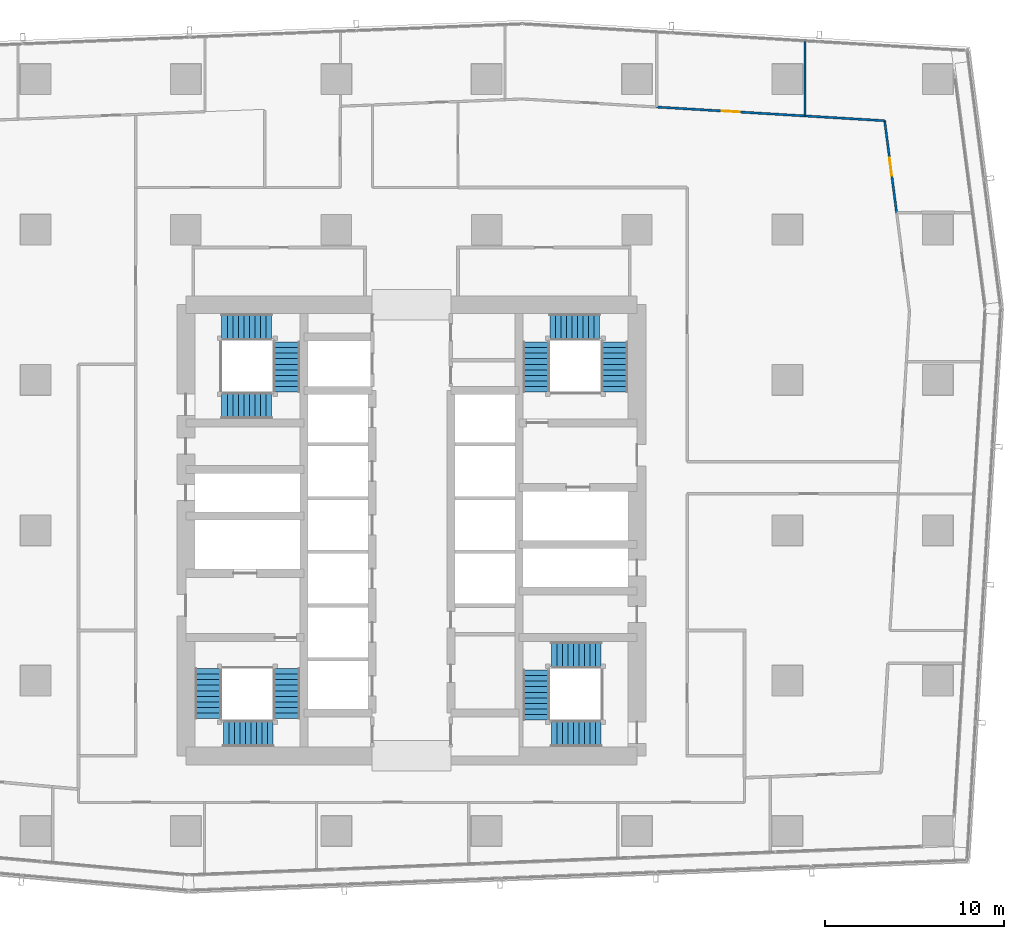
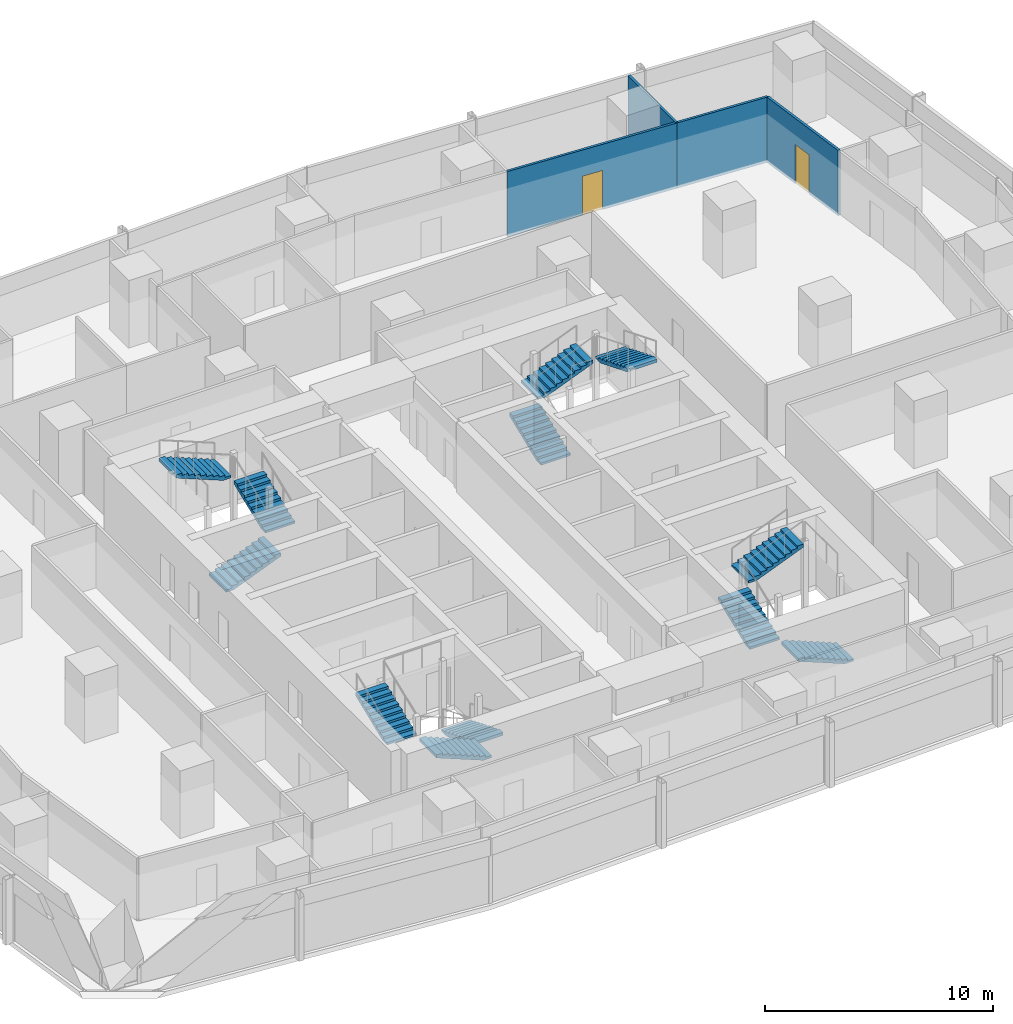
# One storey, part 32 of 40: 12 stair flights, 4 walls, 2 doors, 2 openings, 4 elements without a shape of their own.
"""IFC4 building model written with IfcOpenShell, lengths in metres."""

import ifcopenshell
import ifcopenshell.guid

model = None  # the IFC model being written
_history = None  # IfcOwnerHistory: only IFC2X3 demands one
_inside = {}  # id of a spatial element -> (the spatial element, [elements in it])
_under = {}  # id of a project, library or spatial element -> (it, [spatial elements below it])
_declared = {}  # id of a project -> (the project, [libraries it declares])
_typed = {}  # id of a type object -> (the type object, [elements of that type])
_made_of = {}  # id of a material, layer set ... -> (it, [elements and type objects made of it])


def new_model(schema):
    """Start an empty IFC model of exactly this schema.

    Asked for "IFC4X3", IfcOpenShell would pick the latest addendum, in which some entities
    have other attributes; the version numbers below select the first issue.
    IFC2X3 requires an IfcOwnerHistory on every rooted entity: one is made here for all.
    """
    global model, _history
    if schema == "IFC4X3":
        model = ifcopenshell.file(schema_version=(4, 3, 0, 0))
    else:
        model = ifcopenshell.file(schema=schema)
    _inside.clear()
    _under.clear()
    _declared.clear()
    _typed.clear()
    _made_of.clear()
    _history = None
    if model.schema == "IFC2X3":
        org = make("IfcOrganization", Name="unknown")
        user = make(
            "IfcPersonAndOrganization",
            ThePerson=make("IfcPerson", FamilyName="unknown"),
            TheOrganization=org,
        )
        app = make(
            "IfcApplication",
            ApplicationDeveloper=org,
            Version="unknown",
            ApplicationFullName="unknown",
            ApplicationIdentifier="unknown",
        )
        _history = make(
            "IfcOwnerHistory",
            OwningUser=user,
            OwningApplication=app,
            ChangeAction="ADDED",
            CreationDate=0,
        )
    return model


def make(cls, **values):
    """One entity of the class cls with the attributes given. An attribute that is None is left unset."""
    return model.create_entity(
        cls, **{name: value for name, value in values.items() if value is not None}
    )


def rooted(cls, **values):
    """An entity with a GlobalId (a new one), such as an element, a storey or a relation."""
    return make(cls, GlobalId=ifcopenshell.guid.new(), OwnerHistory=_history, **values)


def si_unit(unit_type, name, prefix=None):
    """IfcSIUnit, for example si_unit("LENGTHUNIT", "METRE", prefix="MILLI")."""
    return make("IfcSIUnit", UnitType=unit_type, Prefix=prefix, Name=name)


def assignment(units):
    """IfcUnitAssignment: the units of a project."""
    return None if units is None else make("IfcUnitAssignment", Units=units)


def point(xyz):
    """IfcCartesianPoint."""
    return None if xyz is None else make("IfcCartesianPoint", Coordinates=xyz)


def direction(xyz):
    """IfcDirection."""
    return None if xyz is None else make("IfcDirection", DirectionRatios=xyz)


def frame(location, z_axis=None, x_axis=None):
    """IfcAxis2Placement3D, a coordinate frame: its origin and axes. An axis left out is left unset."""
    return make(
        "IfcAxis2Placement3D",
        Location=point(location),
        Axis=direction(z_axis),
        RefDirection=direction(x_axis),
    )


def frame_2d(location, x_axis=None):
    """IfcAxis2Placement2D, a coordinate frame in the plane: its origin and x axis."""
    return make(
        "IfcAxis2Placement2D", Location=point(location), RefDirection=direction(x_axis)
    )


def origin():
    """The frame at (0, 0, 0) with its axes left unset."""
    return frame((0.0, 0.0, 0.0))


def place(relative_to, where):
    """IfcLocalPlacement: puts the frame where relative to a parent placement (None: the world)."""
    return make(
        "IfcLocalPlacement", PlacementRelTo=relative_to, RelativePlacement=where
    )


def context(
    kind, dimensions, precision=None, world=None, true_north=None, identifier=None
):
    """IfcGeometricRepresentationContext, for example the 3D "Model" context."""
    return make(
        "IfcGeometricRepresentationContext",
        ContextIdentifier=identifier,
        ContextType=kind,
        CoordinateSpaceDimension=dimensions,
        Precision=precision,
        WorldCoordinateSystem=world,
        TrueNorth=true_north,
    )


def subcontext(parent, identifier, kind, view, scale=None):
    """IfcGeometricRepresentationSubContext, for example "Body" below "Model"."""
    return make(
        "IfcGeometricRepresentationSubContext",
        ContextIdentifier=identifier,
        ContextType=kind,
        ParentContext=parent,
        TargetScale=scale,
        TargetView=view,
    )


def project(units=None, contexts=None):
    """IfcProject with its units and contexts."""
    return rooted(
        "IfcProject",
        Name="project",
        RepresentationContexts=contexts,
        UnitsInContext=assignment(units),
    )


def spatial(cls, under=None, at=None, **own):
    """A site, building, storey or space (cls), placed at a placement, below another one or the project."""
    s = rooted(cls, ObjectPlacement=at, **own)
    if under is not None:
        _under.setdefault(under.id(), (under, []))[1].append(s)
    return s


def polyline(points):
    """IfcPolyline through the points."""
    return make("IfcPolyline", Points=[point(p) for p in points])


def profile(cls, at=None, kind="AREA", **sizes):
    """A parametric profile (cls). Its sizes go by their IFC names, for example OverallWidth=200.0."""
    return make(cls, ProfileType=kind, Position=at, **sizes)


def rectangle(**sizes):
    """IfcRectangleProfileDef."""
    return profile("IfcRectangleProfileDef", **sizes)


def outline(outer, holes=None, kind="AREA"):
    """IfcArbitraryClosedProfileDef: a profile drawn as a closed curve; with holes, ...WithVoids."""
    if holes is None:
        return make("IfcArbitraryClosedProfileDef", ProfileType=kind, OuterCurve=outer)
    return make(
        "IfcArbitraryProfileDefWithVoids",
        ProfileType=kind,
        OuterCurve=outer,
        InnerCurves=holes,
    )


def extrude(swept, where, along, depth):
    """IfcExtrudedAreaSolid: the profile swept, set in the frame where, extruded along a direction by depth."""
    return make(
        "IfcExtrudedAreaSolid",
        SweptArea=swept,
        Position=where,
        ExtrudedDirection=direction(along),
        Depth=depth,
    )


def shape(context_of_items, identifier, shape_type, items):
    """IfcShapeRepresentation: the items that make up one representation, for example the "Body"."""
    return make(
        "IfcShapeRepresentation",
        ContextOfItems=context_of_items,
        RepresentationIdentifier=identifier,
        RepresentationType=shape_type,
        Items=items,
    )


def material(Name=None, Category=None):
    """IfcMaterial."""
    return make("IfcMaterial", Name=Name, Category=Category)


def layer(
    of_material, thickness, ventilated=None, Name=None, Category=None, Priority=None
):
    """IfcMaterialLayer: one layer of a wall or slab, of a material (None: an air gap)."""
    return make(
        "IfcMaterialLayer",
        Material=of_material,
        LayerThickness=thickness,
        IsVentilated=ventilated,
        Name=Name,
        Category=Category,
        Priority=Priority,
    )


def layer_set(layers, Name=None):
    """IfcMaterialLayerSet."""
    return make("IfcMaterialLayerSet", MaterialLayers=layers, LayerSetName=Name)


def made_of(thing, what):
    """Note that an element or type object is made of a material, layer set ...; save() writes the relation."""
    if what is not None:
        _made_of.setdefault(what.id(), (what, []))[1].append(thing)
    return thing


def type_object(cls, material=None, **own):
    """A type object (cls), such as IfcWallType, which elements share."""
    return made_of(rooted(cls, **own), material)


def element(
    cls,
    number,
    at=None,
    inside=None,
    cuts=None,
    type_object=None,
    material=None,
    context=None,
    identifier="Body",
    shape_type=None,
    held_by="IfcProductDefinitionShape",
    body=None,
    shapes=None,
    **own,
):
    """One element of the class cls, such as IfcWall. Its Tag is "e" and its number.

    at: its placement. inside: the storey or other place that contains it. cuts: it is an
    opening in that element (IfcRelVoidsElement). A single representation is given by context,
    identifier, shape_type and body (its items); several are given by shapes. held_by: the class
    of the entity that holds the representations. save() writes the other relations.
    """
    e = rooted(cls, Tag="e%d" % number, ObjectPlacement=at, **own)
    if body is not None:
        shapes = [shape(context, identifier, shape_type, body)]
    if shapes is not None:
        e.Representation = make(held_by, Representations=shapes)
    if inside is not None:
        _inside.setdefault(inside.id(), (inside, []))[1].append(e)
    if cuts is not None:
        rooted(
            "IfcRelVoidsElement", RelatingBuildingElement=cuts, RelatedOpeningElement=e
        )
    if type_object is not None:
        _typed.setdefault(type_object.id(), (type_object, []))[1].append(e)
    return made_of(e, material)


def fill(opening, filler):
    """IfcRelFillsElement: the door or window that sits in an opening."""
    return rooted(
        "IfcRelFillsElement",
        RelatingOpeningElement=opening,
        RelatedBuildingElement=filler,
    )


def aggregate(whole, parts):
    """IfcRelAggregates: a whole, such as a stair, and the parts it consists of."""
    return rooted("IfcRelAggregates", RelatingObject=whole, RelatedObjects=parts)


def save(model, path):
    """Write the relations noted so far, then the file.

    IfcRelAggregates (storeys below a building ...), IfcRelContainedInSpatialStructure (elements
    in a storey), IfcRelDefinesByType, IfcRelAssociatesMaterial and IfcRelDeclares: one each for
    every whole, place, type object, material and project.
    """
    for whole, parts in _under.values():
        aggregate(whole, parts)
    for where, things in _inside.values():
        rooted(
            "IfcRelContainedInSpatialStructure",
            RelatedElements=things,
            RelatingStructure=where,
        )
    for kind, things in _typed.values():
        rooted("IfcRelDefinesByType", RelatedObjects=things, RelatingType=kind)
    for what, things in _made_of.values():
        rooted("IfcRelAssociatesMaterial", RelatedObjects=things, RelatingMaterial=what)
    for by, libraries in _declared.values():
        rooted("IfcRelDeclares", RelatingContext=by, RelatedDefinitions=libraries)
    model.write(path)


model = new_model("IFC4")

# Units and contexts
model_context = context("Model", 3, precision=1e-05, world=origin(), true_north=direction((0.0, 1.0)))
body_context = subcontext(model_context, "Body", "Model", "MODEL_VIEW")
ifc_project = project(units=[si_unit("LENGTHUNIT", "METRE"), si_unit("AREAUNIT", "SQUARE_METRE"), si_unit("VOLUMEUNIT", "CUBIC_METRE"), si_unit("PLANEANGLEUNIT", "RADIAN"), si_unit("MASSUNIT", "GRAM", prefix="KILO")], contexts=[model_context])

# Site, building, storey
site_placement = place(None, origin())
site = spatial("IfcSite", under=ifc_project, at=site_placement, CompositionType="ELEMENT")
building_placement = place(site_placement, origin())
building = spatial("IfcBuilding", under=site, at=building_placement, Name="Rekha Terrace Tower", CompositionType="ELEMENT")
storey_placement = place(building_placement, frame((0.0, 0.0, 121.550048828125)))
storey = spatial("IfcBuildingStorey", under=building, at=storey_placement, Name="L30", CompositionType="ELEMENT", Elevation=121.550048828125)

# Wall
ifc_material_1 = material(Name="Two layers of fire-rated gypsum board each side on steel studs, acoustic quilt, 1 hour", Category="steel")
ifc_layer = layer(ifc_material_1, 0.125)
ifc_layer_set = layer_set([ifc_layer], Name="Two layers of fire-rated gypsum board each side on steel studs, acoustic quilt, 1 hour")
wall_type = type_object("IfcWallType", Name="WP3 125 office partition", PredefinedType="PARTITIONING", material=ifc_layer_set)
wall_1_placement = place(storey_placement, frame((59.7880859375, 56.74609375, 0.0), z_axis=(0.0, 0.0, 1.0), x_axis=(0.0, 1.0, 0.0)))
element("IfcWall", 1, at=wall_1_placement, inside=storey, type_object=wall_type, Name="Partition L30-05", PredefinedType="PARTITIONING", context=body_context, shape_type="SweptSolid", body=[
    extrude(rectangle(XDim=4.156982421875, YDim=0.125, at=frame_2d((2.07861328125, 0.0))), origin(), (0.0, 0.0, 1.0), 3.5),
])

# Wall, opening, door
wall_2_placement = place(storey_placement, frame((64.902099609375, 51.339111328125, 0.0), z_axis=(0.0, 0.0, 1.0), x_axis=(-0.129290857756, 0.991606713421, 0.0)))
wall_2 = element("IfcWall", 2, at=wall_2_placement, inside=storey, type_object=wall_type, Name="Partition L30-05", PredefinedType="PARTITIONING", context=body_context, shape_type="SweptSolid", body=[
    extrude(rectangle(XDim=5.183349609375, YDim=0.125, at=frame_2d((2.591796875, 0.0))), origin(), (0.0, 0.0, 1.0), 3.5),
])
opening_1_placement = place(wall_2_placement, frame((2.092041015625, 0.0, 0.0)))
opening_1 = element("IfcOpeningElement", 3, at=opening_1_placement, cuts=wall_2, Name="Opening D9", PredefinedType="OPENING", context=body_context, shape_type="SweptSolid", body=[
    extrude(rectangle(XDim=1.0, YDim=2.10009765625, at=frame_2d((0.5, 1.050048828125))), frame((0.0, 0.072509765625, 0.0), z_axis=(0.0, -1.0, 0.0), x_axis=(1.0, 0.0, 0.0)), (0.0, 0.0, 1.0), 0.14501953125),
])
ifc_material_2 = material(Name="Timber fire door", Category="wood")
door_type = type_object("IfcDoorType", Name="D9 1000x2100 office door", OperationType="SINGLE_SWING_LEFT", PredefinedType="DOOR", material=ifc_material_2)
door_1_placement = place(opening_1_placement, origin())
door_1 = element("IfcDoor", 4, at=door_1_placement, inside=storey, type_object=door_type, Name="Door director's office L30", OperationType="SINGLE_SWING_LEFT", OverallHeight=2.10009765625, OverallWidth=1.0, PredefinedType="DOOR", context=body_context, shape_type="SweptSolid", body=[
    extrude(rectangle(XDim=1.0, YDim=2.10009765625, at=frame_2d((0.5, 1.050048828125))), frame((0.0, 0.02490234375, 0.0), z_axis=(0.0, -1.0, 0.0), x_axis=(1.0, 0.0, 0.0)), (0.0, 0.0, 1.0), 0.050048828125),
])
fill(opening_1, door_1)

# Wall
wall_3_placement = place(storey_placement, frame((64.23193359375, 56.47900390625, 0.0), z_axis=(0.0, 0.0, 1.0), x_axis=(-0.998198676411, 0.059995019888, 0.0)))
element("IfcWall", 5, at=wall_3_placement, inside=storey, type_object=wall_type, Name="Partition L30-05", PredefinedType="PARTITIONING", context=body_context, shape_type="SweptSolid", body=[
    extrude(rectangle(XDim=4.451904296875, YDim=0.125, at=frame_2d((2.22607421875, 0.0))), origin(), (0.0, 0.0, 1.0), 3.5),
])

# Wall, opening, door
wall_4_placement = place(storey_placement, frame((59.787109375, 56.74609375, 0.0), z_axis=(0.0, 0.0, 1.0), x_axis=(-0.99820280668, 0.05992626083, 0.0)))
wall_4 = element("IfcWall", 6, at=wall_4_placement, inside=storey, type_object=wall_type, Name="Partition L30-06", PredefinedType="PARTITIONING", context=body_context, shape_type="SweptSolid", body=[
    extrude(rectangle(XDim=8.306884765625, YDim=0.125, at=frame_2d((4.1533203125, 0.0))), origin(), (0.0, 0.0, 1.0), 3.5),
])
opening_2_placement = place(wall_4_placement, frame((3.653076171875, 0.0, 0.0)))
opening_2 = element("IfcOpeningElement", 7, at=opening_2_placement, cuts=wall_4, Name="Opening D9", PredefinedType="OPENING", context=body_context, shape_type="SweptSolid", body=[
    extrude(rectangle(XDim=1.0, YDim=2.10009765625, at=frame_2d((0.5, 1.050048828125))), frame((0.0, 0.072509765625, 0.0), z_axis=(0.0, -1.0, 0.0), x_axis=(1.0, 0.0, 0.0)), (0.0, 0.0, 1.0), 0.14501953125),
])
door_2_placement = place(opening_2_placement, origin())
door_2 = element("IfcDoor", 8, at=door_2_placement, inside=storey, type_object=door_type, Name="Door office L30", OperationType="SINGLE_SWING_LEFT", OverallHeight=2.10009765625, OverallWidth=1.0, PredefinedType="DOOR", context=body_context, shape_type="SweptSolid", body=[
    extrude(rectangle(XDim=1.0, YDim=2.10009765625, at=frame_2d((0.5, 1.050048828125))), frame((0.0, 0.02490234375, 0.0), z_axis=(0.0, -1.0, 0.0), x_axis=(1.0, 0.0, 0.0)), (0.0, 0.0, 1.0), 0.050048828125),
])
fill(opening_2, door_2)

# Stair, stair flights
ifc_material_3 = material(Name="Concrete M40", Category="concrete")
stair_type = type_object("IfcStairType", Name="ST30 stair, 30 risers of 125, going 310, 1500 wide flights, 3 flights", PredefinedType="HALF_TURN_STAIR", material=ifc_material_3)
stair_1_placement = place(storey_placement, origin())
stair_1 = element("IfcStair", 9, at=stair_1_placement, inside=storey, type_object=stair_type, Name="Stair ST1 L30 to L31", PredefinedType="HALF_TURN_STAIR")
stair_flight_type = type_object("IfcStairFlightType", Name="SF10 stair flight, 10 risers of 125, going 310, 1500 wide", PredefinedType="STRAIGHT", material=ifc_material_3)
stair_flight_1_placement = place(storey_placement, frame((30.824951171875, 25.875, 0.0), z_axis=(0.0, 0.0, 1.0), x_axis=(0.0, -1.0, 0.0)))
stair_flight_1 = element("IfcStairFlight", 10, at=stair_flight_1_placement, type_object=stair_flight_type, Name="ST1 flight 1", NumberOfRisers=10, NumberOfTreads=9, PredefinedType="STRAIGHT", RiserHeight=0.125, TreadLength=0.31, context=body_context, shape_type="SweptSolid", body=[
    extrude(outline(polyline([(0.0, 0.0), (0.0, 0.125), (0.31005859375, 0.125), (0.31005859375, 0.25), (0.6201171875, 0.25), (0.6201171875, 0.375), (0.929931640625, 0.375), (0.929931640625, 0.5), (1.239990234375, 0.5), (1.239990234375, 0.625), (1.550048828125, 0.625), (1.550048828125, 0.75), (1.860107421875, 0.75), (1.860107421875, 0.875), (2.169921875, 0.875), (2.169921875, 1.0), (2.47998046875, 1.0), (2.47998046875, 1.125), (2.7900390625, 1.125), (2.7900390625, 1.25), (2.7900390625, 0.96337890625), (0.40087890625, 0.0), (0.0, 0.0)])), frame((0.0, 0.75, 0.0), z_axis=(0.0, -1.0, 0.0), x_axis=(1.0, 0.0, 0.0)), (0.0, 0.0, 1.0), 1.5),
])
stair_flight_2_placement = place(storey_placement, frame((30.074951171875, 22.25, 1.25), z_axis=(0.0, 0.0, 1.0), x_axis=(-1.0, 0.0, 0.0)))
stair_flight_2 = element("IfcStairFlight", 11, at=stair_flight_2_placement, type_object=stair_flight_type, Name="ST1 flight 2", NumberOfRisers=10, NumberOfTreads=9, PredefinedType="STRAIGHT", RiserHeight=0.125, TreadLength=0.31, context=body_context, shape_type="SweptSolid", body=[
    extrude(outline(polyline([(0.0, 0.0), (0.0, 0.125), (0.31005859375, 0.125), (0.31005859375, 0.25), (0.6201171875, 0.25), (0.6201171875, 0.375), (0.929931640625, 0.375), (0.929931640625, 0.5), (1.239990234375, 0.5), (1.239990234375, 0.625), (1.550048828125, 0.625), (1.550048828125, 0.75), (1.860107421875, 0.75), (1.860107421875, 0.875), (2.169921875, 0.875), (2.169921875, 1.0), (2.47998046875, 1.0), (2.47998046875, 1.125), (2.7900390625, 1.125), (2.7900390625, 1.25), (2.7900390625, 0.96337890625), (0.40087890625, 0.0), (0.0, 0.0)])), frame((0.0, 0.75, 0.0), z_axis=(0.0, -1.0, 0.0), x_axis=(1.0, 0.0, 0.0)), (0.0, 0.0, 1.0), 1.5),
])
stair_flight_3_placement = place(storey_placement, frame((26.449951171875, 23.0849609375, 2.5), z_axis=(0.0, 0.0, 1.0), x_axis=(0.0, 1.0, 0.0)))
stair_flight_3 = element("IfcStairFlight", 12, at=stair_flight_3_placement, type_object=stair_flight_type, Name="ST1 flight 3", NumberOfRisers=10, NumberOfTreads=9, PredefinedType="STRAIGHT", RiserHeight=0.125, TreadLength=0.31, context=body_context, shape_type="SweptSolid", body=[
    extrude(outline(polyline([(0.0, 0.0), (0.0, 0.125), (0.31005859375, 0.125), (0.31005859375, 0.25), (0.6201171875, 0.25), (0.6201171875, 0.375), (0.929931640625, 0.375), (0.929931640625, 0.5), (1.239990234375, 0.5), (1.239990234375, 0.625), (1.550048828125, 0.625), (1.550048828125, 0.75), (1.860107421875, 0.75), (1.860107421875, 0.875), (2.169921875, 0.875), (2.169921875, 1.0), (2.47998046875, 1.0), (2.47998046875, 1.125), (2.7900390625, 1.125), (2.7900390625, 1.25), (2.7900390625, 0.96337890625), (0.40087890625, 0.0), (0.0, 0.0)])), frame((0.0, 0.75, 0.0), z_axis=(0.0, -1.0, 0.0), x_axis=(1.0, 0.0, 0.0)), (0.0, 0.0, 1.0), 1.5),
])
aggregate(stair_1, [stair_flight_1, stair_flight_2, stair_flight_3])

stair_2_placement = place(storey_placement, origin())
stair_2 = element("IfcStair", 13, at=stair_2_placement, inside=storey, type_object=stair_type, Name="Stair ST2 L30 to L31", PredefinedType="HALF_TURN_STAIR")
stair_flight_4_placement = place(storey_placement, frame((44.77490234375, 41.324951171875, 0.0), z_axis=(0.0, 0.0, 1.0), x_axis=(0.0, 1.0, 0.0)))
stair_flight_4 = element("IfcStairFlight", 14, at=stair_flight_4_placement, type_object=stair_flight_type, Name="ST2 flight 1", NumberOfRisers=10, NumberOfTreads=9, PredefinedType="STRAIGHT", RiserHeight=0.125, TreadLength=0.31, context=body_context, shape_type="SweptSolid", body=[
    extrude(outline(polyline([(0.0, 0.0), (0.0, 0.125), (0.31005859375, 0.125), (0.31005859375, 0.25), (0.6201171875, 0.25), (0.6201171875, 0.375), (0.929931640625, 0.375), (0.929931640625, 0.5), (1.239990234375, 0.5), (1.239990234375, 0.625), (1.550048828125, 0.625), (1.550048828125, 0.75), (1.860107421875, 0.75), (1.860107421875, 0.875), (2.169921875, 0.875), (2.169921875, 1.0), (2.47998046875, 1.0), (2.47998046875, 1.125), (2.7900390625, 1.125), (2.7900390625, 1.25), (2.7900390625, 0.96337890625), (0.40087890625, 0.0), (0.0, 0.0)])), frame((0.0, 0.75, 0.0), z_axis=(0.0, -1.0, 0.0), x_axis=(1.0, 0.0, 0.0)), (0.0, 0.0, 1.0), 1.5),
])
stair_flight_5_placement = place(storey_placement, frame((45.52490234375, 44.949951171875, 1.25), z_axis=(0.0, 0.0, 1.0), x_axis=(1.0, 0.0, 0.0)))
stair_flight_5 = element("IfcStairFlight", 15, at=stair_flight_5_placement, type_object=stair_flight_type, Name="ST2 flight 2", NumberOfRisers=10, NumberOfTreads=9, PredefinedType="STRAIGHT", RiserHeight=0.125, TreadLength=0.31, context=body_context, shape_type="SweptSolid", body=[
    extrude(outline(polyline([(0.0, 0.0), (0.0, 0.125), (0.31005859375, 0.125), (0.31005859375, 0.25), (0.6201171875, 0.25), (0.6201171875, 0.375), (0.929931640625, 0.375), (0.929931640625, 0.5), (1.239990234375, 0.5), (1.239990234375, 0.625), (1.550048828125, 0.625), (1.550048828125, 0.75), (1.860107421875, 0.75), (1.860107421875, 0.875), (2.169921875, 0.875), (2.169921875, 1.0), (2.47998046875, 1.0), (2.47998046875, 1.125), (2.7900390625, 1.125), (2.7900390625, 1.25), (2.7900390625, 0.96337890625), (0.40087890625, 0.0), (0.0, 0.0)])), frame((0.0, 0.75, 0.0), z_axis=(0.0, -1.0, 0.0), x_axis=(1.0, 0.0, 0.0)), (0.0, 0.0, 1.0), 1.5),
])
stair_flight_6_placement = place(storey_placement, frame((49.14990234375, 44.114990234375, 2.5), z_axis=(0.0, 0.0, 1.0), x_axis=(0.0, -1.0, 0.0)))
stair_flight_6 = element("IfcStairFlight", 16, at=stair_flight_6_placement, type_object=stair_flight_type, Name="ST2 flight 3", NumberOfRisers=10, NumberOfTreads=9, PredefinedType="STRAIGHT", RiserHeight=0.125, TreadLength=0.31, context=body_context, shape_type="SweptSolid", body=[
    extrude(outline(polyline([(0.0, 0.0), (0.0, 0.125), (0.31005859375, 0.125), (0.31005859375, 0.25), (0.6201171875, 0.25), (0.6201171875, 0.375), (0.929931640625, 0.375), (0.929931640625, 0.5), (1.239990234375, 0.5), (1.239990234375, 0.625), (1.550048828125, 0.625), (1.550048828125, 0.75), (1.860107421875, 0.75), (1.860107421875, 0.875), (2.169921875, 0.875), (2.169921875, 1.0), (2.47998046875, 1.0), (2.47998046875, 1.125), (2.7900390625, 1.125), (2.7900390625, 1.25), (2.7900390625, 0.96337890625), (0.40087890625, 0.0), (0.0, 0.0)])), frame((0.0, 0.75, 0.0), z_axis=(0.0, -1.0, 0.0), x_axis=(1.0, 0.0, 0.0)), (0.0, 0.0, 1.0), 1.5),
])
aggregate(stair_2, [stair_flight_4, stair_flight_5, stair_flight_6])

stair_3_placement = place(storey_placement, origin())
stair_3 = element("IfcStair", 17, at=stair_3_placement, inside=storey, type_object=stair_type, Name="Stair ST3 L30 to L31", PredefinedType="HALF_TURN_STAIR")
stair_flight_7_placement = place(storey_placement, frame((48.39990234375, 22.25, 0.0), z_axis=(0.0, 0.0, 1.0), x_axis=(-1.0, 0.0, 0.0)))
stair_flight_7 = element("IfcStairFlight", 18, at=stair_flight_7_placement, type_object=stair_flight_type, Name="ST3 flight 1", NumberOfRisers=10, NumberOfTreads=9, PredefinedType="STRAIGHT", RiserHeight=0.125, TreadLength=0.31, context=body_context, shape_type="SweptSolid", body=[
    extrude(outline(polyline([(0.0, 0.0), (0.0, 0.125), (0.31005859375, 0.125), (0.31005859375, 0.25), (0.6201171875, 0.25), (0.6201171875, 0.375), (0.929931640625, 0.375), (0.929931640625, 0.5), (1.239990234375, 0.5), (1.239990234375, 0.625), (1.550048828125, 0.625), (1.550048828125, 0.75), (1.860107421875, 0.75), (1.860107421875, 0.875), (2.169921875, 0.875), (2.169921875, 1.0), (2.47998046875, 1.0), (2.47998046875, 1.125), (2.7900390625, 1.125), (2.7900390625, 1.25), (2.7900390625, 0.96337890625), (0.40087890625, 0.0), (0.0, 0.0)])), frame((0.0, 0.75, 0.0), z_axis=(0.0, -1.0, 0.0), x_axis=(1.0, 0.0, 0.0)), (0.0, 0.0, 1.0), 1.5),
])
stair_flight_8_placement = place(storey_placement, frame((44.77490234375, 23.0, 1.25), z_axis=(0.0, 0.0, 1.0), x_axis=(0.0, 1.0, 0.0)))
stair_flight_8 = element("IfcStairFlight", 19, at=stair_flight_8_placement, type_object=stair_flight_type, Name="ST3 flight 2", NumberOfRisers=10, NumberOfTreads=9, PredefinedType="STRAIGHT", RiserHeight=0.125, TreadLength=0.31, context=body_context, shape_type="SweptSolid", body=[
    extrude(outline(polyline([(0.0, 0.0), (0.0, 0.125), (0.31005859375, 0.125), (0.31005859375, 0.25), (0.6201171875, 0.25), (0.6201171875, 0.375), (0.929931640625, 0.375), (0.929931640625, 0.5), (1.239990234375, 0.5), (1.239990234375, 0.625), (1.550048828125, 0.625), (1.550048828125, 0.75), (1.860107421875, 0.75), (1.860107421875, 0.875), (2.169921875, 0.875), (2.169921875, 1.0), (2.47998046875, 1.0), (2.47998046875, 1.125), (2.7900390625, 1.125), (2.7900390625, 1.25), (2.7900390625, 0.96337890625), (0.40087890625, 0.0), (0.0, 0.0)])), frame((0.0, 0.75, 0.0), z_axis=(0.0, -1.0, 0.0), x_axis=(1.0, 0.0, 0.0)), (0.0, 0.0, 1.0), 1.5),
])
stair_flight_9_placement = place(storey_placement, frame((45.610107421875, 26.625, 2.5), z_axis=(0.0, 0.0, 1.0), x_axis=(1.0, 0.0, 0.0)))
stair_flight_9 = element("IfcStairFlight", 20, at=stair_flight_9_placement, type_object=stair_flight_type, Name="ST3 flight 3", NumberOfRisers=10, NumberOfTreads=9, PredefinedType="STRAIGHT", RiserHeight=0.125, TreadLength=0.31, context=body_context, shape_type="SweptSolid", body=[
    extrude(outline(polyline([(0.0, 0.0), (0.0, 0.125), (0.31005859375, 0.125), (0.31005859375, 0.25), (0.6201171875, 0.25), (0.6201171875, 0.375), (0.929931640625, 0.375), (0.929931640625, 0.5), (1.239990234375, 0.5), (1.239990234375, 0.625), (1.550048828125, 0.625), (1.550048828125, 0.75), (1.860107421875, 0.75), (1.860107421875, 0.875), (2.169921875, 0.875), (2.169921875, 1.0), (2.47998046875, 1.0), (2.47998046875, 1.125), (2.7900390625, 1.125), (2.7900390625, 1.25), (2.7900390625, 0.96337890625), (0.40087890625, 0.0), (0.0, 0.0)])), frame((0.0, 0.75, 0.0), z_axis=(0.0, -1.0, 0.0), x_axis=(1.0, 0.0, 0.0)), (0.0, 0.0, 1.0), 1.5),
])
aggregate(stair_3, [stair_flight_7, stair_flight_8, stair_flight_9])

stair_4_placement = place(storey_placement, origin())
stair_4 = element("IfcStair", 21, at=stair_4_placement, inside=storey, type_object=stair_type, Name="Stair ST4 L30 to L31", PredefinedType="HALF_TURN_STAIR")
stair_flight_10_placement = place(storey_placement, frame((27.199951171875, 40.574951171875, 0.0), z_axis=(0.0, 0.0, 1.0), x_axis=(1.0, 0.0, 0.0)))
stair_flight_10 = element("IfcStairFlight", 22, at=stair_flight_10_placement, type_object=stair_flight_type, Name="ST4 flight 1", NumberOfRisers=10, NumberOfTreads=9, PredefinedType="STRAIGHT", RiserHeight=0.125, TreadLength=0.31, context=body_context, shape_type="SweptSolid", body=[
    extrude(outline(polyline([(0.0, 0.0), (0.0, 0.125), (0.31005859375, 0.125), (0.31005859375, 0.25), (0.6201171875, 0.25), (0.6201171875, 0.375), (0.929931640625, 0.375), (0.929931640625, 0.5), (1.239990234375, 0.5), (1.239990234375, 0.625), (1.550048828125, 0.625), (1.550048828125, 0.75), (1.860107421875, 0.75), (1.860107421875, 0.875), (2.169921875, 0.875), (2.169921875, 1.0), (2.47998046875, 1.0), (2.47998046875, 1.125), (2.7900390625, 1.125), (2.7900390625, 1.25), (2.7900390625, 0.96337890625), (0.40087890625, 0.0), (0.0, 0.0)])), frame((0.0, 0.75, 0.0), z_axis=(0.0, -1.0, 0.0), x_axis=(1.0, 0.0, 0.0)), (0.0, 0.0, 1.0), 1.5),
])
stair_flight_11_placement = place(storey_placement, frame((30.824951171875, 41.324951171875, 1.25), z_axis=(0.0, 0.0, 1.0), x_axis=(0.0, 1.0, 0.0)))
stair_flight_11 = element("IfcStairFlight", 23, at=stair_flight_11_placement, type_object=stair_flight_type, Name="ST4 flight 2", NumberOfRisers=10, NumberOfTreads=9, PredefinedType="STRAIGHT", RiserHeight=0.125, TreadLength=0.31, context=body_context, shape_type="SweptSolid", body=[
    extrude(outline(polyline([(0.0, 0.0), (0.0, 0.125), (0.31005859375, 0.125), (0.31005859375, 0.25), (0.6201171875, 0.25), (0.6201171875, 0.375), (0.929931640625, 0.375), (0.929931640625, 0.5), (1.239990234375, 0.5), (1.239990234375, 0.625), (1.550048828125, 0.625), (1.550048828125, 0.75), (1.860107421875, 0.75), (1.860107421875, 0.875), (2.169921875, 0.875), (2.169921875, 1.0), (2.47998046875, 1.0), (2.47998046875, 1.125), (2.7900390625, 1.125), (2.7900390625, 1.25), (2.7900390625, 0.96337890625), (0.40087890625, 0.0), (0.0, 0.0)])), frame((0.0, 0.75, 0.0), z_axis=(0.0, -1.0, 0.0), x_axis=(1.0, 0.0, 0.0)), (0.0, 0.0, 1.0), 1.5),
])
stair_flight_12_placement = place(storey_placement, frame((29.989990234375, 44.949951171875, 2.5), z_axis=(0.0, 0.0, 1.0), x_axis=(-1.0, 0.0, 0.0)))
stair_flight_12 = element("IfcStairFlight", 24, at=stair_flight_12_placement, type_object=stair_flight_type, Name="ST4 flight 3", NumberOfRisers=10, NumberOfTreads=9, PredefinedType="STRAIGHT", RiserHeight=0.125, TreadLength=0.31, context=body_context, shape_type="SweptSolid", body=[
    extrude(outline(polyline([(0.0, 0.0), (0.0, 0.125), (0.31005859375, 0.125), (0.31005859375, 0.25), (0.6201171875, 0.25), (0.6201171875, 0.375), (0.929931640625, 0.375), (0.929931640625, 0.5), (1.239990234375, 0.5), (1.239990234375, 0.625), (1.550048828125, 0.625), (1.550048828125, 0.75), (1.860107421875, 0.75), (1.860107421875, 0.875), (2.169921875, 0.875), (2.169921875, 1.0), (2.47998046875, 1.0), (2.47998046875, 1.125), (2.7900390625, 1.125), (2.7900390625, 1.25), (2.7900390625, 0.96337890625), (0.40087890625, 0.0), (0.0, 0.0)])), frame((0.0, 0.75, 0.0), z_axis=(0.0, -1.0, 0.0), x_axis=(1.0, 0.0, 0.0)), (0.0, 0.0, 1.0), 1.5),
])
aggregate(stair_4, [stair_flight_10, stair_flight_11, stair_flight_12])

save(model, "model.ifc")
